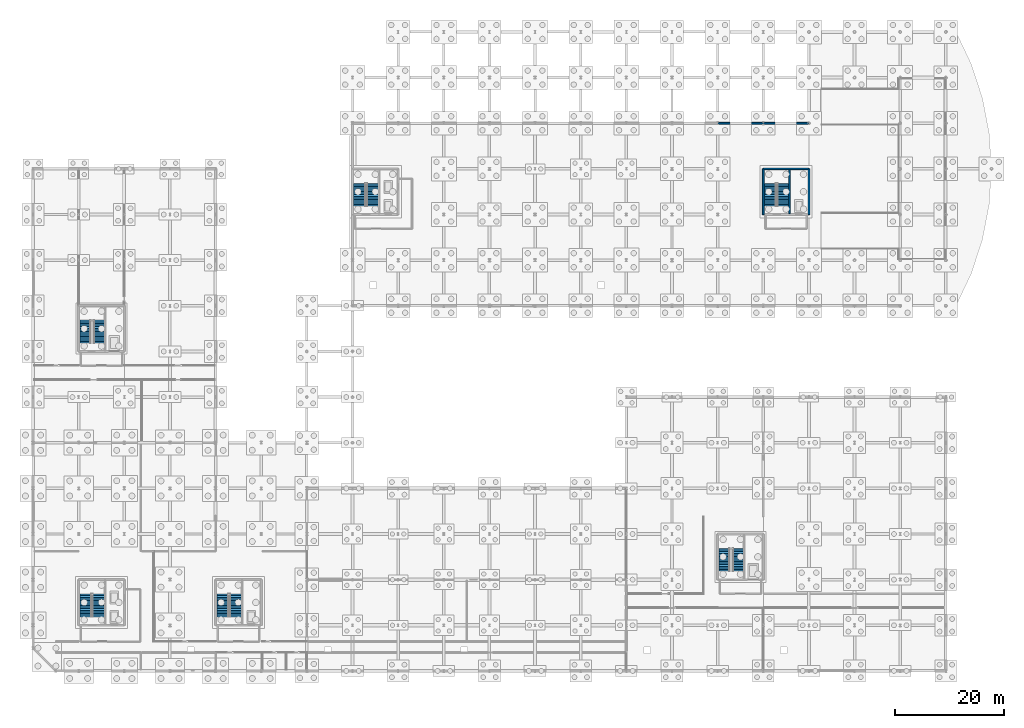
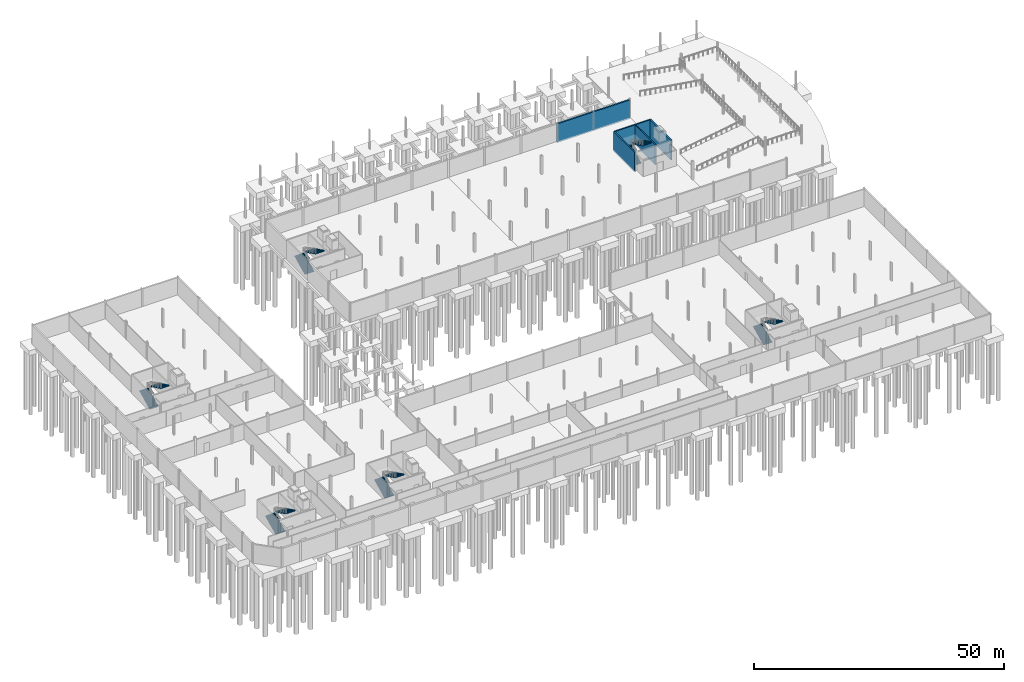
# One storey, part 38 of 51: 12 stair flights, 6 walls, 6 elements without a shape of their own.
"""IFC4 building model written with IfcOpenShell, lengths in metres."""

from ifc_helpers import new_model, si_unit, direction, frame, frame_2d, origin, place, context, subcontext, project, spatial, polyline, rectangle, outline, extrude, material, layer, layer_set, type_object, element, aggregate, save


model = new_model("IFC4")

# Units and contexts
model_context = context("Model", 3, precision=1e-05, world=origin(), true_north=direction((0.0, 1.0)))
body_context = subcontext(model_context, "Body", "Model", "MODEL_VIEW")
ifc_project = project(units=[si_unit("LENGTHUNIT", "METRE"), si_unit("AREAUNIT", "SQUARE_METRE"), si_unit("VOLUMEUNIT", "CUBIC_METRE"), si_unit("PLANEANGLEUNIT", "RADIAN"), si_unit("MASSUNIT", "GRAM", prefix="KILO")], contexts=[model_context])

# Site, building, storey
site_placement = place(None, origin())
site = spatial("IfcSite", under=ifc_project, at=site_placement, CompositionType="ELEMENT")
building_placement = place(site_placement, origin())
building = spatial("IfcBuilding", under=site, at=building_placement, Name="Qalvenar Corner Mobility Hub", CompositionType="ELEMENT")
storey_placement = place(building_placement, frame((0.0, 0.0, -4.5)))
storey = spatial("IfcBuildingStorey", under=building, at=storey_placement, Name="B1", CompositionType="ELEMENT", Elevation=-4.5)

# Walls
ifc_material_1 = material(Name="Concrete C40/50", Category="concrete")
ifc_layer_1 = layer(ifc_material_1, 0.25)
ifc_layer_set_1 = layer_set([ifc_layer_1], Name="Concrete C40/50")
wall_type_1 = type_object("IfcWallType", Name="WL-CORE250", PredefinedType="SHEAR", material=ifc_layer_set_1)
wall_1_placement = place(storey_placement, frame((139.25, 84.14990234375, -0.35009765625), z_axis=(0.0, 0.0, 1.0), x_axis=(0.0, 1.0, 0.0)))
element("IfcWall", 1, at=wall_1_placement, inside=storey, type_object=wall_type_1, Name="Core Divider Wall C4-B1", PredefinedType="SHEAR", context=body_context, shape_type="SweptSolid", body=[
    extrude(rectangle(XDim=8.10009765625, YDim=0.25, at=frame_2d((4.050048828125, 0.0))), origin(), (0.0, 0.0, 1.0), 4.85009765625),
])
ifc_layer_2 = layer(ifc_material_1, 0.300048828125)
ifc_layer_set_2 = layer_set([ifc_layer_2], Name="Concrete C40/50")
wall_type_2 = type_object("IfcWallType", Name="WL-CORE300", PredefinedType="SHEAR", material=ifc_layer_set_2)
wall_2_placement = place(storey_placement, frame((142.800048828125, 84.0, -0.35009765625), z_axis=(0.0, 0.0, 1.0), x_axis=(0.0, 1.0, 0.0)))
element("IfcWall", 2, at=wall_2_placement, inside=storey, type_object=wall_type_2, Name="Core Shear Wall C4-B1-E", PredefinedType="SHEAR", context=body_context, shape_type="SweptSolid", body=[
    extrude(rectangle(XDim=8.39990234375, YDim=0.300048828125, at=frame_2d((4.199951171875, 0.0))), origin(), (0.0, 0.0, 1.0), 4.85009765625),
])
wall_3_placement = place(storey_placement, frame((142.800048828125, 92.39990234375, -0.35009765625), z_axis=(0.0, 0.0, 1.0), x_axis=(-1.0, 0.0, 0.0)))
element("IfcWall", 3, at=wall_3_placement, inside=storey, type_object=wall_type_2, Name="Core Shear Wall C4-B1-N", PredefinedType="SHEAR", context=body_context, shape_type="SweptSolid", body=[
    extrude(rectangle(XDim=8.400146484375, YDim=0.300048828125, at=frame_2d((4.2001953125, 0.0))), origin(), (0.0, 0.0, 1.0), 4.85009765625),
])
wall_4_placement = place(storey_placement, frame((134.39990234375, 92.39990234375, -0.35009765625), z_axis=(0.0, 0.0, 1.0), x_axis=(0.0, -1.0, 0.0)))
element("IfcWall", 4, at=wall_4_placement, inside=storey, type_object=wall_type_2, Name="Core Shear Wall C4-B1-W", PredefinedType="SHEAR", context=body_context, shape_type="SweptSolid", body=[
    extrude(rectangle(XDim=8.39990234375, YDim=0.300048828125, at=frame_2d((4.199951171875, 0.0))), origin(), (0.0, 0.0, 1.0), 4.85009765625),
])
ifc_layer_3 = layer(ifc_material_1, 0.35009765625)
ifc_layer_set_3 = layer_set([ifc_layer_3], Name="Concrete C40/50")
wall_type_3 = type_object("IfcWallType", Name="WL-RET350", PredefinedType="SOLIDWALL", material=ifc_layer_set_3)
wall_5_placement = place(storey_placement, frame((126.0, 100.800048828125, -0.35009765625), z_axis=(0.0, 0.0, 1.0), x_axis=(1.0, 0.0, 0.0)))
element("IfcWall", 5, at=wall_5_placement, inside=storey, type_object=wall_type_3, Name="Basement Retaining Wall BW-086", PredefinedType="SOLIDWALL", context=body_context, shape_type="SweptSolid", body=[
    extrude(rectangle(XDim=8.39990234375, YDim=0.35009765625, at=frame_2d((4.199951171875, 0.0))), origin(), (0.0, 0.0, 1.0), 4.60009765625),
])
wall_6_placement = place(storey_placement, frame((134.39990234375, 100.800048828125, -0.35009765625), z_axis=(0.0, 0.0, 1.0), x_axis=(1.0, 0.0, 0.0)))
element("IfcWall", 6, at=wall_6_placement, inside=storey, type_object=wall_type_3, Name="Basement Retaining Wall BW-087", PredefinedType="SOLIDWALL", context=body_context, shape_type="SweptSolid", body=[
    extrude(rectangle(XDim=8.400146484375, YDim=0.35009765625, at=frame_2d((4.2001953125, 0.0))), origin(), (0.0, 0.0, 1.0), 4.60009765625),
])

# Stair, stair flights
ifc_material_2 = material(Name="Concrete C35/45", Category="concrete")
stair_type_1 = type_object("IfcStairType", Name="STR-200-H45", PredefinedType="HALF_TURN_STAIR", material=ifc_material_2)
stair_1_placement = place(storey_placement, origin())
stair_1 = element("IfcStair", 7, at=stair_1_placement, inside=storey, type_object=stair_type_1, Name="Exit Stair ST2 B1-L00", PredefinedType="HALF_TURN_STAIR")
stair_flight_type_1 = type_object("IfcStairFlightType", Name="SFL-200-R15", PredefinedType="STRAIGHT", material=ifc_material_2)
stair_flight_1_placement = place(storey_placement, frame((34.89501953125, 9.949951171875, 0.0), z_axis=(0.0, 0.0, 1.0), x_axis=(0.0, 1.0, 0.0)))
stair_flight_1 = element("IfcStairFlight", 8, at=stair_flight_1_placement, type_object=stair_flight_type_1, Name="ST2 flight 1", NumberOfRisers=15, NumberOfTreads=14, PredefinedType="STRAIGHT", RiserHeight=0.15, TreadLength=0.3, context=body_context, shape_type="SweptSolid", body=[
    extrude(outline(polyline([(0.0, 0.0), (0.0, 0.14990234375), (0.300048828125, 0.14990234375), (0.300048828125, 0.300048828125), (0.60009765625, 0.300048828125), (0.60009765625, 0.449951171875), (0.89990234375, 0.449951171875), (0.89990234375, 0.60009765625), (1.199951171875, 0.60009765625), (1.199951171875, 0.75), (1.5, 0.75), (1.5, 0.89990234375), (1.800048828125, 0.89990234375), (1.800048828125, 1.050048828125), (2.10009765625, 1.050048828125), (2.10009765625, 1.199951171875), (2.39990234375, 1.199951171875), (2.39990234375, 1.35009765625), (2.699951171875, 1.35009765625), (2.699951171875, 1.5), (3.0, 1.5), (3.0, 1.64990234375), (3.300048828125, 1.64990234375), (3.300048828125, 1.800048828125), (3.60009765625, 1.800048828125), (3.60009765625, 1.949951171875), (3.89990234375, 1.949951171875), (3.89990234375, 2.10009765625), (4.199951171875, 2.10009765625), (4.199951171875, 2.25), (4.199951171875, 1.89892578125), (0.40234375, 0.0), (0.0, 0.0)])), frame((0.0, 1.074951171875, 0.0), z_axis=(0.0, -1.0, 0.0), x_axis=(1.0, 0.0, 0.0)), (0.0, 0.0, 1.0), 2.14990234375),
])
stair_flight_2_placement = place(storey_placement, frame((37.284912109375, 14.14990234375, 2.25), z_axis=(0.0, 0.0, 1.0), x_axis=(0.0, -1.0, 0.0)))
stair_flight_2 = element("IfcStairFlight", 9, at=stair_flight_2_placement, type_object=stair_flight_type_1, Name="ST2 flight 2", NumberOfRisers=15, NumberOfTreads=14, PredefinedType="STRAIGHT", RiserHeight=0.15, TreadLength=0.3, context=body_context, shape_type="SweptSolid", body=[
    extrude(outline(polyline([(0.0, 0.0), (0.0, 0.14990234375), (0.300048828125, 0.14990234375), (0.300048828125, 0.300048828125), (0.60009765625, 0.300048828125), (0.60009765625, 0.449951171875), (0.89990234375, 0.449951171875), (0.89990234375, 0.60009765625), (1.199951171875, 0.60009765625), (1.199951171875, 0.75), (1.5, 0.75), (1.5, 0.89990234375), (1.800048828125, 0.89990234375), (1.800048828125, 1.050048828125), (2.10009765625, 1.050048828125), (2.10009765625, 1.199951171875), (2.39990234375, 1.199951171875), (2.39990234375, 1.35009765625), (2.699951171875, 1.35009765625), (2.699951171875, 1.5), (3.0, 1.5), (3.0, 1.64990234375), (3.300048828125, 1.64990234375), (3.300048828125, 1.800048828125), (3.60009765625, 1.800048828125), (3.60009765625, 1.949951171875), (3.89990234375, 1.949951171875), (3.89990234375, 2.10009765625), (4.199951171875, 2.10009765625), (4.199951171875, 2.25), (4.199951171875, 1.89892578125), (0.40234375, 0.0), (0.0, 0.0)])), frame((0.0, 1.074951171875, 0.0), z_axis=(0.0, -1.0, 0.0), x_axis=(1.0, 0.0, 0.0)), (0.0, 0.0, 1.0), 2.14990234375),
])
aggregate(stair_1, [stair_flight_1, stair_flight_2])

stair_2_placement = place(storey_placement, origin())
stair_2 = element("IfcStair", 10, at=stair_2_placement, inside=storey, type_object=stair_type_1, Name="Exit Stair ST3 B1-L00", PredefinedType="HALF_TURN_STAIR")
stair_flight_3_placement = place(storey_placement, frame((60.094970703125, 85.550048828125, 0.0), z_axis=(0.0, 0.0, 1.0), x_axis=(0.0, 1.0, 0.0)))
stair_flight_3 = element("IfcStairFlight", 11, at=stair_flight_3_placement, type_object=stair_flight_type_1, Name="ST3 flight 1", NumberOfRisers=15, NumberOfTreads=14, PredefinedType="STRAIGHT", RiserHeight=0.15, TreadLength=0.3, context=body_context, shape_type="SweptSolid", body=[
    extrude(outline(polyline([(0.0, 0.0), (0.0, 0.14990234375), (0.300048828125, 0.14990234375), (0.300048828125, 0.300048828125), (0.60009765625, 0.300048828125), (0.60009765625, 0.449951171875), (0.89990234375, 0.449951171875), (0.89990234375, 0.60009765625), (1.199951171875, 0.60009765625), (1.199951171875, 0.75), (1.5, 0.75), (1.5, 0.89990234375), (1.800048828125, 0.89990234375), (1.800048828125, 1.050048828125), (2.10009765625, 1.050048828125), (2.10009765625, 1.199951171875), (2.39990234375, 1.199951171875), (2.39990234375, 1.35009765625), (2.699951171875, 1.35009765625), (2.699951171875, 1.5), (3.0, 1.5), (3.0, 1.64990234375), (3.300048828125, 1.64990234375), (3.300048828125, 1.800048828125), (3.60009765625, 1.800048828125), (3.60009765625, 1.949951171875), (3.89990234375, 1.949951171875), (3.89990234375, 2.10009765625), (4.199951171875, 2.10009765625), (4.199951171875, 2.25), (4.199951171875, 1.89892578125), (0.40234375, 0.0), (0.0, 0.0)])), frame((0.0, 1.074951171875, 0.0), z_axis=(0.0, -1.0, 0.0), x_axis=(1.0, 0.0, 0.0)), (0.0, 0.0, 1.0), 2.14990234375),
])
stair_flight_4_placement = place(storey_placement, frame((62.485107421875, 89.75, 2.25), z_axis=(0.0, 0.0, 1.0), x_axis=(0.0, -1.0, 0.0)))
stair_flight_4 = element("IfcStairFlight", 12, at=stair_flight_4_placement, type_object=stair_flight_type_1, Name="ST3 flight 2", NumberOfRisers=15, NumberOfTreads=14, PredefinedType="STRAIGHT", RiserHeight=0.15, TreadLength=0.3, context=body_context, shape_type="SweptSolid", body=[
    extrude(outline(polyline([(0.0, 0.0), (0.0, 0.14990234375), (0.300048828125, 0.14990234375), (0.300048828125, 0.300048828125), (0.60009765625, 0.300048828125), (0.60009765625, 0.449951171875), (0.89990234375, 0.449951171875), (0.89990234375, 0.60009765625), (1.199951171875, 0.60009765625), (1.199951171875, 0.75), (1.5, 0.75), (1.5, 0.89990234375), (1.800048828125, 0.89990234375), (1.800048828125, 1.050048828125), (2.10009765625, 1.050048828125), (2.10009765625, 1.199951171875), (2.39990234375, 1.199951171875), (2.39990234375, 1.35009765625), (2.699951171875, 1.35009765625), (2.699951171875, 1.5), (3.0, 1.5), (3.0, 1.64990234375), (3.300048828125, 1.64990234375), (3.300048828125, 1.800048828125), (3.60009765625, 1.800048828125), (3.60009765625, 1.949951171875), (3.89990234375, 1.949951171875), (3.89990234375, 2.10009765625), (4.199951171875, 2.10009765625), (4.199951171875, 2.25), (4.199951171875, 1.89892578125), (0.40234375, 0.0), (0.0, 0.0)])), frame((0.0, 1.074951171875, 0.0), z_axis=(0.0, -1.0, 0.0), x_axis=(1.0, 0.0, 0.0)), (0.0, 0.0, 1.0), 2.14990234375),
])
aggregate(stair_2, [stair_flight_3, stair_flight_4])

stair_3_placement = place(storey_placement, origin())
stair_3 = element("IfcStair", 13, at=stair_3_placement, inside=storey, type_object=stair_type_1, Name="Exit Stair ST4 B1-L00", PredefinedType="HALF_TURN_STAIR")
stair_flight_5_placement = place(storey_placement, frame((135.695068359375, 85.550048828125, 0.0), z_axis=(0.0, 0.0, 1.0), x_axis=(0.0, 1.0, 0.0)))
stair_flight_5 = element("IfcStairFlight", 14, at=stair_flight_5_placement, type_object=stair_flight_type_1, Name="ST4 flight 1", NumberOfRisers=15, NumberOfTreads=14, PredefinedType="STRAIGHT", RiserHeight=0.15, TreadLength=0.3, context=body_context, shape_type="SweptSolid", body=[
    extrude(outline(polyline([(0.0, 0.0), (0.0, 0.14990234375), (0.300048828125, 0.14990234375), (0.300048828125, 0.300048828125), (0.60009765625, 0.300048828125), (0.60009765625, 0.449951171875), (0.89990234375, 0.449951171875), (0.89990234375, 0.60009765625), (1.199951171875, 0.60009765625), (1.199951171875, 0.75), (1.5, 0.75), (1.5, 0.89990234375), (1.800048828125, 0.89990234375), (1.800048828125, 1.050048828125), (2.10009765625, 1.050048828125), (2.10009765625, 1.199951171875), (2.39990234375, 1.199951171875), (2.39990234375, 1.35009765625), (2.699951171875, 1.35009765625), (2.699951171875, 1.5), (3.0, 1.5), (3.0, 1.64990234375), (3.300048828125, 1.64990234375), (3.300048828125, 1.800048828125), (3.60009765625, 1.800048828125), (3.60009765625, 1.949951171875), (3.89990234375, 1.949951171875), (3.89990234375, 2.10009765625), (4.199951171875, 2.10009765625), (4.199951171875, 2.25), (4.199951171875, 1.89892578125), (0.40234375, 0.0), (0.0, 0.0)])), frame((0.0, 1.074951171875, 0.0), z_axis=(0.0, -1.0, 0.0), x_axis=(1.0, 0.0, 0.0)), (0.0, 0.0, 1.0), 2.14990234375),
])
stair_flight_6_placement = place(storey_placement, frame((138.0849609375, 89.75, 2.25), z_axis=(0.0, 0.0, 1.0), x_axis=(0.0, -1.0, 0.0)))
stair_flight_6 = element("IfcStairFlight", 15, at=stair_flight_6_placement, type_object=stair_flight_type_1, Name="ST4 flight 2", NumberOfRisers=15, NumberOfTreads=14, PredefinedType="STRAIGHT", RiserHeight=0.15, TreadLength=0.3, context=body_context, shape_type="SweptSolid", body=[
    extrude(outline(polyline([(0.0, 0.0), (0.0, 0.14990234375), (0.300048828125, 0.14990234375), (0.300048828125, 0.300048828125), (0.60009765625, 0.300048828125), (0.60009765625, 0.449951171875), (0.89990234375, 0.449951171875), (0.89990234375, 0.60009765625), (1.199951171875, 0.60009765625), (1.199951171875, 0.75), (1.5, 0.75), (1.5, 0.89990234375), (1.800048828125, 0.89990234375), (1.800048828125, 1.050048828125), (2.10009765625, 1.050048828125), (2.10009765625, 1.199951171875), (2.39990234375, 1.199951171875), (2.39990234375, 1.35009765625), (2.699951171875, 1.35009765625), (2.699951171875, 1.5), (3.0, 1.5), (3.0, 1.64990234375), (3.300048828125, 1.64990234375), (3.300048828125, 1.800048828125), (3.60009765625, 1.800048828125), (3.60009765625, 1.949951171875), (3.89990234375, 1.949951171875), (3.89990234375, 2.10009765625), (4.199951171875, 2.10009765625), (4.199951171875, 2.25), (4.199951171875, 1.89892578125), (0.40234375, 0.0), (0.0, 0.0)])), frame((0.0, 1.074951171875, 0.0), z_axis=(0.0, -1.0, 0.0), x_axis=(1.0, 0.0, 0.0)), (0.0, 0.0, 1.0), 2.14990234375),
])
aggregate(stair_3, [stair_flight_5, stair_flight_6])

stair_4_placement = place(storey_placement, origin())
stair_4 = element("IfcStair", 16, at=stair_4_placement, inside=storey, type_object=stair_type_1, Name="Exit Stair ST5 B1-L00", PredefinedType="HALF_TURN_STAIR")
stair_flight_7_placement = place(storey_placement, frame((9.6201171875, 60.35009765625, 0.0), z_axis=(0.0, 0.0, 1.0), x_axis=(0.0, 1.0, 0.0)))
stair_flight_7 = element("IfcStairFlight", 17, at=stair_flight_7_placement, type_object=stair_flight_type_1, Name="ST5 flight 1", NumberOfRisers=15, NumberOfTreads=14, PredefinedType="STRAIGHT", RiserHeight=0.15, TreadLength=0.3, context=body_context, shape_type="SweptSolid", body=[
    extrude(outline(polyline([(0.0, 0.0), (0.0, 0.14990234375), (0.300048828125, 0.14990234375), (0.300048828125, 0.300048828125), (0.60009765625, 0.300048828125), (0.60009765625, 0.449951171875), (0.89990234375, 0.449951171875), (0.89990234375, 0.60009765625), (1.199951171875, 0.60009765625), (1.199951171875, 0.75), (1.5, 0.75), (1.5, 0.89990234375), (1.800048828125, 0.89990234375), (1.800048828125, 1.050048828125), (2.10009765625, 1.050048828125), (2.10009765625, 1.199951171875), (2.39990234375, 1.199951171875), (2.39990234375, 1.35009765625), (2.699951171875, 1.35009765625), (2.699951171875, 1.5), (3.0, 1.5), (3.0, 1.64990234375), (3.300048828125, 1.64990234375), (3.300048828125, 1.800048828125), (3.60009765625, 1.800048828125), (3.60009765625, 1.949951171875), (3.89990234375, 1.949951171875), (3.89990234375, 2.10009765625), (4.199951171875, 2.10009765625), (4.199951171875, 2.25), (4.199951171875, 1.89892578125), (0.40234375, 0.0), (0.0, 0.0)])), frame((0.0, 1.0, 0.0), z_axis=(0.0, -1.0, 0.0), x_axis=(1.0, 0.0, 0.0)), (0.0, 0.0, 1.0), 2.0),
])
stair_flight_8_placement = place(storey_placement, frame((12.159912109375, 64.550048828125, 2.25), z_axis=(0.0, 0.0, 1.0), x_axis=(0.0, -1.0, 0.0)))
stair_flight_8 = element("IfcStairFlight", 18, at=stair_flight_8_placement, type_object=stair_flight_type_1, Name="ST5 flight 2", NumberOfRisers=15, NumberOfTreads=14, PredefinedType="STRAIGHT", RiserHeight=0.15, TreadLength=0.3, context=body_context, shape_type="SweptSolid", body=[
    extrude(outline(polyline([(0.0, 0.0), (0.0, 0.14990234375), (0.300048828125, 0.14990234375), (0.300048828125, 0.300048828125), (0.60009765625, 0.300048828125), (0.60009765625, 0.449951171875), (0.89990234375, 0.449951171875), (0.89990234375, 0.60009765625), (1.199951171875, 0.60009765625), (1.199951171875, 0.75), (1.5, 0.75), (1.5, 0.89990234375), (1.800048828125, 0.89990234375), (1.800048828125, 1.050048828125), (2.10009765625, 1.050048828125), (2.10009765625, 1.199951171875), (2.39990234375, 1.199951171875), (2.39990234375, 1.35009765625), (2.699951171875, 1.35009765625), (2.699951171875, 1.5), (3.0, 1.5), (3.0, 1.64990234375), (3.300048828125, 1.64990234375), (3.300048828125, 1.800048828125), (3.60009765625, 1.800048828125), (3.60009765625, 1.949951171875), (3.89990234375, 1.949951171875), (3.89990234375, 2.10009765625), (4.199951171875, 2.10009765625), (4.199951171875, 2.25), (4.199951171875, 1.89892578125), (0.40234375, 0.0), (0.0, 0.0)])), frame((0.0, 1.0, 0.0), z_axis=(0.0, -1.0, 0.0), x_axis=(1.0, 0.0, 0.0)), (0.0, 0.0, 1.0), 2.0),
])
aggregate(stair_4, [stair_flight_7, stair_flight_8])

stair_5_placement = place(storey_placement, origin())
stair_5 = element("IfcStair", 19, at=stair_5_placement, inside=storey, type_object=stair_type_1, Name="Exit Stair ST6 B1-L00", PredefinedType="HALF_TURN_STAIR")
stair_flight_9_placement = place(storey_placement, frame((127.219970703125, 18.35009765625, 0.0), z_axis=(0.0, 0.0, 1.0), x_axis=(0.0, 1.0, 0.0)))
stair_flight_9 = element("IfcStairFlight", 20, at=stair_flight_9_placement, type_object=stair_flight_type_1, Name="ST6 flight 1", NumberOfRisers=15, NumberOfTreads=14, PredefinedType="STRAIGHT", RiserHeight=0.15, TreadLength=0.3, context=body_context, shape_type="SweptSolid", body=[
    extrude(outline(polyline([(0.0, 0.0), (0.0, 0.14990234375), (0.300048828125, 0.14990234375), (0.300048828125, 0.300048828125), (0.60009765625, 0.300048828125), (0.60009765625, 0.449951171875), (0.89990234375, 0.449951171875), (0.89990234375, 0.60009765625), (1.199951171875, 0.60009765625), (1.199951171875, 0.75), (1.5, 0.75), (1.5, 0.89990234375), (1.800048828125, 0.89990234375), (1.800048828125, 1.050048828125), (2.10009765625, 1.050048828125), (2.10009765625, 1.199951171875), (2.39990234375, 1.199951171875), (2.39990234375, 1.35009765625), (2.699951171875, 1.35009765625), (2.699951171875, 1.5), (3.0, 1.5), (3.0, 1.64990234375), (3.300048828125, 1.64990234375), (3.300048828125, 1.800048828125), (3.60009765625, 1.800048828125), (3.60009765625, 1.949951171875), (3.89990234375, 1.949951171875), (3.89990234375, 2.10009765625), (4.199951171875, 2.10009765625), (4.199951171875, 2.25), (4.199951171875, 1.89892578125), (0.40234375, 0.0), (0.0, 0.0)])), frame((0.0, 1.0, 0.0), z_axis=(0.0, -1.0, 0.0), x_axis=(1.0, 0.0, 0.0)), (0.0, 0.0, 1.0), 2.0),
])
stair_flight_10_placement = place(storey_placement, frame((129.760009765625, 22.550048828125, 2.25), z_axis=(0.0, 0.0, 1.0), x_axis=(0.0, -1.0, 0.0)))
stair_flight_10 = element("IfcStairFlight", 21, at=stair_flight_10_placement, type_object=stair_flight_type_1, Name="ST6 flight 2", NumberOfRisers=15, NumberOfTreads=14, PredefinedType="STRAIGHT", RiserHeight=0.15, TreadLength=0.3, context=body_context, shape_type="SweptSolid", body=[
    extrude(outline(polyline([(0.0, 0.0), (0.0, 0.14990234375), (0.300048828125, 0.14990234375), (0.300048828125, 0.300048828125), (0.60009765625, 0.300048828125), (0.60009765625, 0.449951171875), (0.89990234375, 0.449951171875), (0.89990234375, 0.60009765625), (1.199951171875, 0.60009765625), (1.199951171875, 0.75), (1.5, 0.75), (1.5, 0.89990234375), (1.800048828125, 0.89990234375), (1.800048828125, 1.050048828125), (2.10009765625, 1.050048828125), (2.10009765625, 1.199951171875), (2.39990234375, 1.199951171875), (2.39990234375, 1.35009765625), (2.699951171875, 1.35009765625), (2.699951171875, 1.5), (3.0, 1.5), (3.0, 1.64990234375), (3.300048828125, 1.64990234375), (3.300048828125, 1.800048828125), (3.60009765625, 1.800048828125), (3.60009765625, 1.949951171875), (3.89990234375, 1.949951171875), (3.89990234375, 2.10009765625), (4.199951171875, 2.10009765625), (4.199951171875, 2.25), (4.199951171875, 1.89892578125), (0.40234375, 0.0), (0.0, 0.0)])), frame((0.0, 1.0, 0.0), z_axis=(0.0, -1.0, 0.0), x_axis=(1.0, 0.0, 0.0)), (0.0, 0.0, 1.0), 2.0),
])
aggregate(stair_5, [stair_flight_9, stair_flight_10])

stair_type_2 = type_object("IfcStairType", Name="STR-220-H45", PredefinedType="HALF_TURN_STAIR", material=ifc_material_2)
stair_6_placement = place(storey_placement, origin())
stair_6 = element("IfcStair", 22, at=stair_6_placement, inside=storey, type_object=stair_type_2, Name="Exit Stair ST1 B1-L00", PredefinedType="HALF_TURN_STAIR")
stair_flight_type_2 = type_object("IfcStairFlightType", Name="SFL-220-R15", PredefinedType="STRAIGHT", material=ifc_material_2)
stair_flight_11_placement = place(storey_placement, frame((9.719970703125, 9.949951171875, 0.0), z_axis=(0.0, 0.0, 1.0), x_axis=(0.0, 1.0, 0.0)))
stair_flight_11 = element("IfcStairFlight", 23, at=stair_flight_11_placement, type_object=stair_flight_type_2, Name="ST1 flight 1", NumberOfRisers=15, NumberOfTreads=14, PredefinedType="STRAIGHT", RiserHeight=0.15, TreadLength=0.3, context=body_context, shape_type="SweptSolid", body=[
    extrude(outline(polyline([(0.0, 0.0), (0.0, 0.14990234375), (0.300048828125, 0.14990234375), (0.300048828125, 0.300048828125), (0.60009765625, 0.300048828125), (0.60009765625, 0.449951171875), (0.89990234375, 0.449951171875), (0.89990234375, 0.60009765625), (1.199951171875, 0.60009765625), (1.199951171875, 0.75), (1.5, 0.75), (1.5, 0.89990234375), (1.800048828125, 0.89990234375), (1.800048828125, 1.050048828125), (2.10009765625, 1.050048828125), (2.10009765625, 1.199951171875), (2.39990234375, 1.199951171875), (2.39990234375, 1.35009765625), (2.699951171875, 1.35009765625), (2.699951171875, 1.5), (3.0, 1.5), (3.0, 1.64990234375), (3.300048828125, 1.64990234375), (3.300048828125, 1.800048828125), (3.60009765625, 1.800048828125), (3.60009765625, 1.949951171875), (3.89990234375, 1.949951171875), (3.89990234375, 2.10009765625), (4.199951171875, 2.10009765625), (4.199951171875, 2.25), (4.199951171875, 1.89892578125), (0.40234375, 0.0), (0.0, 0.0)])), frame((0.0, 1.10009765625, 0.0), z_axis=(0.0, -1.0, 0.0), x_axis=(1.0, 0.0, 0.0)), (0.0, 0.0, 1.0), 2.199951171875),
])
stair_flight_12_placement = place(storey_placement, frame((12.06005859375, 14.14990234375, 2.25), z_axis=(0.0, 0.0, 1.0), x_axis=(0.0, -1.0, 0.0)))
stair_flight_12 = element("IfcStairFlight", 24, at=stair_flight_12_placement, type_object=stair_flight_type_2, Name="ST1 flight 2", NumberOfRisers=15, NumberOfTreads=14, PredefinedType="STRAIGHT", RiserHeight=0.15, TreadLength=0.3, context=body_context, shape_type="SweptSolid", body=[
    extrude(outline(polyline([(0.0, 0.0), (0.0, 0.14990234375), (0.300048828125, 0.14990234375), (0.300048828125, 0.300048828125), (0.60009765625, 0.300048828125), (0.60009765625, 0.449951171875), (0.89990234375, 0.449951171875), (0.89990234375, 0.60009765625), (1.199951171875, 0.60009765625), (1.199951171875, 0.75), (1.5, 0.75), (1.5, 0.89990234375), (1.800048828125, 0.89990234375), (1.800048828125, 1.050048828125), (2.10009765625, 1.050048828125), (2.10009765625, 1.199951171875), (2.39990234375, 1.199951171875), (2.39990234375, 1.35009765625), (2.699951171875, 1.35009765625), (2.699951171875, 1.5), (3.0, 1.5), (3.0, 1.64990234375), (3.300048828125, 1.64990234375), (3.300048828125, 1.800048828125), (3.60009765625, 1.800048828125), (3.60009765625, 1.949951171875), (3.89990234375, 1.949951171875), (3.89990234375, 2.10009765625), (4.199951171875, 2.10009765625), (4.199951171875, 2.25), (4.199951171875, 1.89892578125), (0.40234375, 0.0), (0.0, 0.0)])), frame((0.0, 1.10009765625, 0.0), z_axis=(0.0, -1.0, 0.0), x_axis=(1.0, 0.0, 0.0)), (0.0, 0.0, 1.0), 2.199951171875),
])
aggregate(stair_6, [stair_flight_11, stair_flight_12])

save(model, "model.ifc")
